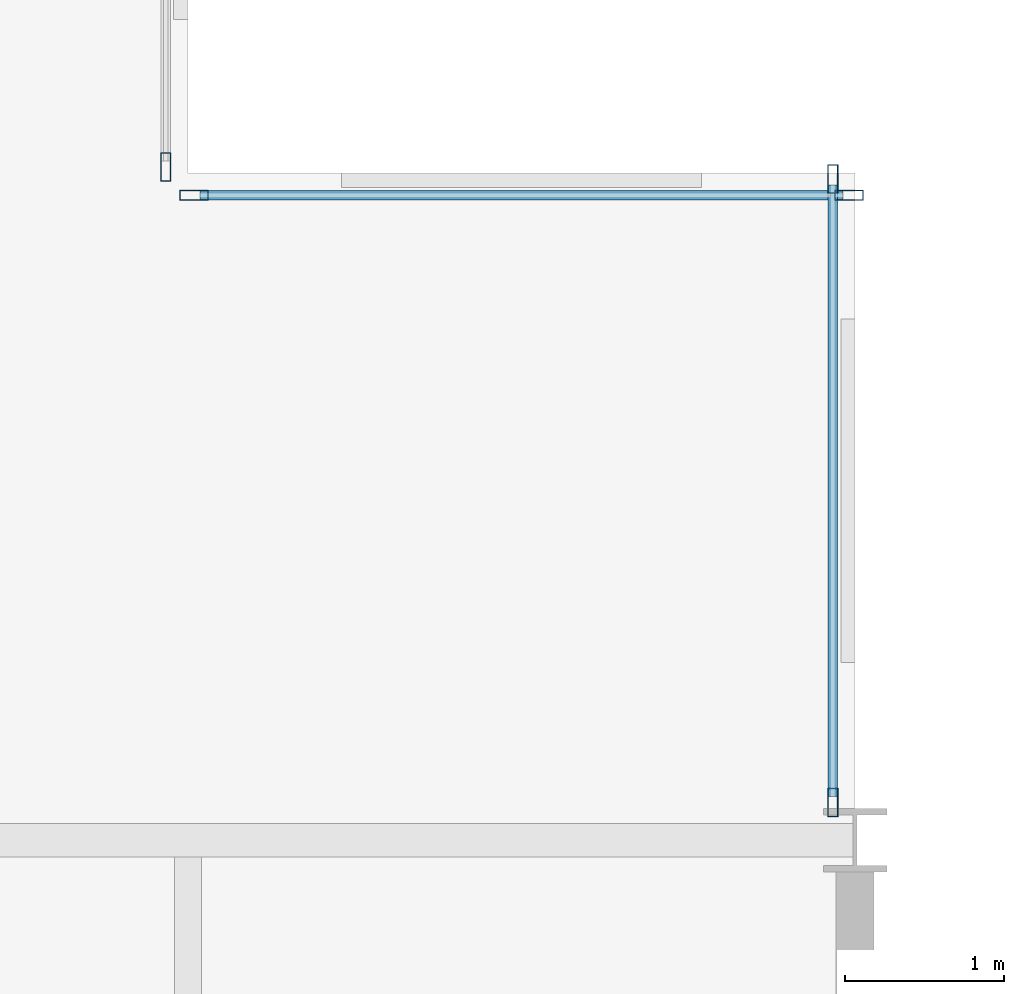
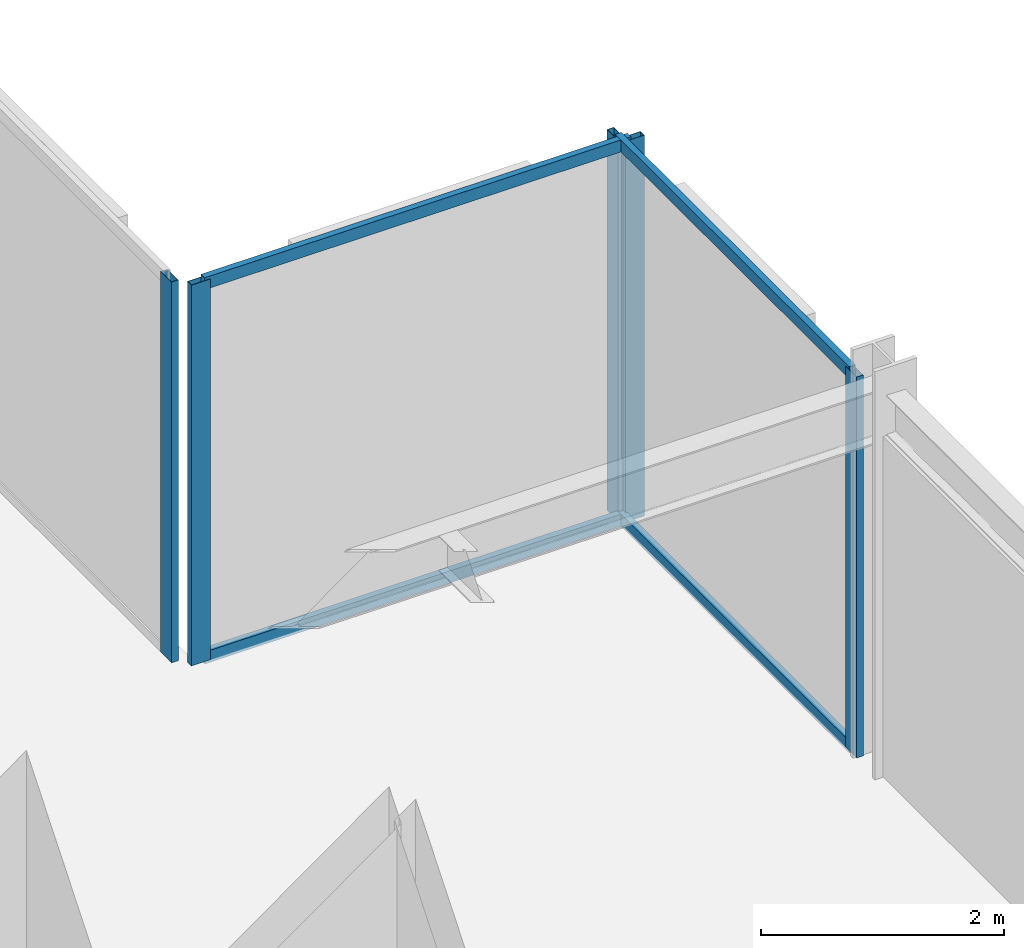
# One storey, part 20 of 29: 9 members, 3 elements without a shape of their own.
"""IFC4 building model written with IfcOpenShell, lengths in metres."""

from ifc_helpers import new_model, si_unit, direction, frame, origin, origin_2d, place, context, subcontext, project, spatial, hollow_rectangle, extrude, material, layer, layer_set, material_profile, profile_set, type_object, element, aggregate, save


model = new_model("IFC4")

# Units and contexts
model_context = context("Model", 3, precision=1e-05, world=origin(), true_north=direction((0.0, 1.0)))
body_context = subcontext(model_context, "Body", "Model", "MODEL_VIEW")
ifc_project = project(units=[si_unit("LENGTHUNIT", "METRE"), si_unit("AREAUNIT", "SQUARE_METRE"), si_unit("VOLUMEUNIT", "CUBIC_METRE"), si_unit("PLANEANGLEUNIT", "RADIAN"), si_unit("MASSUNIT", "GRAM", prefix="KILO")], contexts=[model_context])

# Site, building, storey
site_placement = place(None, origin())
site = spatial("IfcSite", under=ifc_project, at=site_placement, CompositionType="ELEMENT")
building_placement = place(site_placement, origin())
building = spatial("IfcBuilding", under=site, at=building_placement, Name="Nerrivon Quay Data Exchange", CompositionType="ELEMENT")
storey_placement = place(building_placement, frame((0.0, 0.0, 150.0)))
storey = spatial("IfcBuildingStorey", under=building, at=storey_placement, Name="L35", CompositionType="ELEMENT", Elevation=150.0)

# Curtain wall, member
ifc_material = material(Name="Anodised aluminium 6063-T6", Category="aluminium")
ifc_layer = layer(ifc_material, 0.2099609375)
ifc_layer_set = layer_set([ifc_layer], Name="Anodised aluminium 6063-T6")
curtain_wall_type = type_object("IfcCurtainWallType", Name="CW-SYS-02", PredefinedType="NOTDEFINED", material=ifc_layer_set)
curtain_wall_1_placement = place(storey_placement, origin())
curtain_wall_1 = element("IfcCurtainWall", 1, at=curtain_wall_1_placement, inside=storey, type_object=curtain_wall_type, Name="L35 Unitised Curtain Wall 21", PredefinedType="NOTDEFINED")
ifc_material_profile_1 = material_profile(ifc_material, hollow_rectangle(XDim=0.06494140625, YDim=0.179931640625, WallThickness=0.00341796875, at=origin_2d()), Name="ALU-MULL-180x65")
ifc_profile_set_1 = profile_set([ifc_material_profile_1], Name="Anodised aluminium 6063-T6")
member_type_1 = type_object("IfcMemberType", Name="CWM-180x65", PredefinedType="MULLION", material=ifc_profile_set_1)
member_1_placement = place(storey_placement, frame((20.860107421875, 46.237548828125, 0.0), z_axis=(0.0, 0.0, 1.0), x_axis=(1.0, 0.0, 0.0)))
member_1 = element("IfcMember", 2, at=member_1_placement, type_object=member_type_1, Name="CW02 mullion 2", PredefinedType="MULLION", context=body_context, shape_type="SweptSolid", body=[
    extrude(hollow_rectangle(XDim=0.06494140625, YDim=0.179931640625, WallThickness=0.00341796875, at=origin_2d()), origin(), (0.0, 0.0, 1.0), 3.824951171875),
])
aggregate(curtain_wall_1, [member_1])

# Curtain wall, members
curtain_wall_2_placement = place(storey_placement, origin())
curtain_wall_2 = element("IfcCurtainWall", 3, at=curtain_wall_2_placement, inside=storey, type_object=curtain_wall_type, Name="L35 Unitised Curtain Wall 22", PredefinedType="NOTDEFINED")
member_2_placement = place(storey_placement, frame((21.03759765625, 46.06005859375, 0.0), z_axis=(0.0, 0.0, 1.0), x_axis=(0.0, 1.0, 0.0)))
member_2 = element("IfcMember", 4, at=member_2_placement, type_object=member_type_1, Name="CW02 mullion 1", PredefinedType="MULLION", context=body_context, shape_type="SweptSolid", body=[
    extrude(hollow_rectangle(XDim=0.06494140625, YDim=0.179931640625, WallThickness=0.00341796875, at=origin_2d()), origin(), (0.0, 0.0, 1.0), 3.824951171875),
])
member_3_placement = place(storey_placement, frame((25.16259765625, 46.06005859375, 0.0), z_axis=(0.0, 0.0, 1.0), x_axis=(0.0, 1.0, 0.0)))
member_3 = element("IfcMember", 5, at=member_3_placement, type_object=member_type_1, Name="CW02 mullion 2", PredefinedType="MULLION", context=body_context, shape_type="SweptSolid", body=[
    extrude(hollow_rectangle(XDim=0.06494140625, YDim=0.179931640625, WallThickness=0.00341796875, at=origin_2d()), origin(), (0.0, 0.0, 1.0), 3.824951171875),
])

curtain_wall_3_placement = place(storey_placement, origin())
curtain_wall_3 = element("IfcCurtainWall", 6, at=curtain_wall_3_placement, inside=storey, type_object=curtain_wall_type, Name="L35 Unitised Curtain Wall 23", PredefinedType="NOTDEFINED")
member_4_placement = place(storey_placement, frame((25.06005859375, 46.16259765625, 0.0), z_axis=(0.0, 0.0, 1.0), x_axis=(1.0, 0.0, 0.0)))
member_4 = element("IfcMember", 7, at=member_4_placement, type_object=member_type_1, Name="CW02 mullion 1", PredefinedType="MULLION", context=body_context, shape_type="SweptSolid", body=[
    extrude(hollow_rectangle(XDim=0.06494140625, YDim=0.179931640625, WallThickness=0.00341796875, at=origin_2d()), origin(), (0.0, 0.0, 1.0), 3.824951171875),
])
member_5_placement = place(storey_placement, frame((25.06005859375, 42.237548828125, 0.0), z_axis=(0.0, 0.0, 1.0), x_axis=(1.0, 0.0, 0.0)))
member_5 = element("IfcMember", 8, at=member_5_placement, type_object=member_type_1, Name="CW02 mullion 2", PredefinedType="MULLION", context=body_context, shape_type="SweptSolid", body=[
    extrude(hollow_rectangle(XDim=0.06494140625, YDim=0.179931640625, WallThickness=0.00341796875, at=origin_2d()), origin(), (0.0, 0.0, 1.0), 3.824951171875),
])

# Member
ifc_material_profile_2 = material_profile(ifc_material, hollow_rectangle(XDim=0.06005859375, YDim=0.1201171875, WallThickness=0.003173828125, at=origin_2d()), Name="ALU-TRAN-120x60")
ifc_profile_set_2 = profile_set([ifc_material_profile_2], Name="Anodised aluminium 6063-T6")
member_type_2 = type_object("IfcMemberType", Name="CWT-120x60", PredefinedType="USERDEFINED", material=ifc_profile_set_2)
member_6_placement = place(storey_placement, frame((21.074951171875, 46.06005859375, 0.032470703125), z_axis=(1.0, 0.0, 0.0), x_axis=(0.0, 1.0, 0.0)))
member_6 = element("IfcMember", 9, at=member_6_placement, type_object=member_type_2, Name="CW02 transom 1.1", ObjectType="TRANSOM", PredefinedType="USERDEFINED", context=body_context, shape_type="SweptSolid", body=[
    extrude(hollow_rectangle(XDim=0.06005859375, YDim=0.1201171875, WallThickness=0.003173828125, at=origin_2d()), origin(), (0.0, 0.0, 1.0), 4.050048828125),
])

member_7_placement = place(storey_placement, frame((21.074951171875, 46.06005859375, 3.79248046875), z_axis=(1.0, 0.0, 0.0), x_axis=(0.0, 1.0, 0.0)))
member_7 = element("IfcMember", 10, at=member_7_placement, type_object=member_type_2, Name="CW02 transom 1.2", ObjectType="TRANSOM", PredefinedType="USERDEFINED", context=body_context, shape_type="SweptSolid", body=[
    extrude(hollow_rectangle(XDim=0.06005859375, YDim=0.1201171875, WallThickness=0.003173828125, at=origin_2d()), origin(), (0.0, 0.0, 1.0), 4.050048828125),
])

aggregate(curtain_wall_2, [member_2, member_3, member_6, member_7])

member_8_placement = place(storey_placement, frame((25.06005859375, 46.125, 0.032470703125), z_axis=(0.0, -1.0, 0.0), x_axis=(1.0, 0.0, 0.0)))
member_8 = element("IfcMember", 11, at=member_8_placement, type_object=member_type_2, Name="CW02 transom 1.1", ObjectType="TRANSOM", PredefinedType="USERDEFINED", context=body_context, shape_type="SweptSolid", body=[
    extrude(hollow_rectangle(XDim=0.06005859375, YDim=0.1201171875, WallThickness=0.003173828125, at=origin_2d()), origin(), (0.0, 0.0, 1.0), 3.85009765625),
])

member_9_placement = place(storey_placement, frame((25.06005859375, 46.125, 3.79248046875), z_axis=(0.0, -1.0, 0.0), x_axis=(1.0, 0.0, 0.0)))
member_9 = element("IfcMember", 12, at=member_9_placement, type_object=member_type_2, Name="CW02 transom 1.2", ObjectType="TRANSOM", PredefinedType="USERDEFINED", context=body_context, shape_type="SweptSolid", body=[
    extrude(hollow_rectangle(XDim=0.06005859375, YDim=0.1201171875, WallThickness=0.003173828125, at=origin_2d()), origin(), (0.0, 0.0, 1.0), 3.85009765625),
])

aggregate(curtain_wall_3, [member_4, member_5, member_8, member_9])

save(model, "model.ifc")
